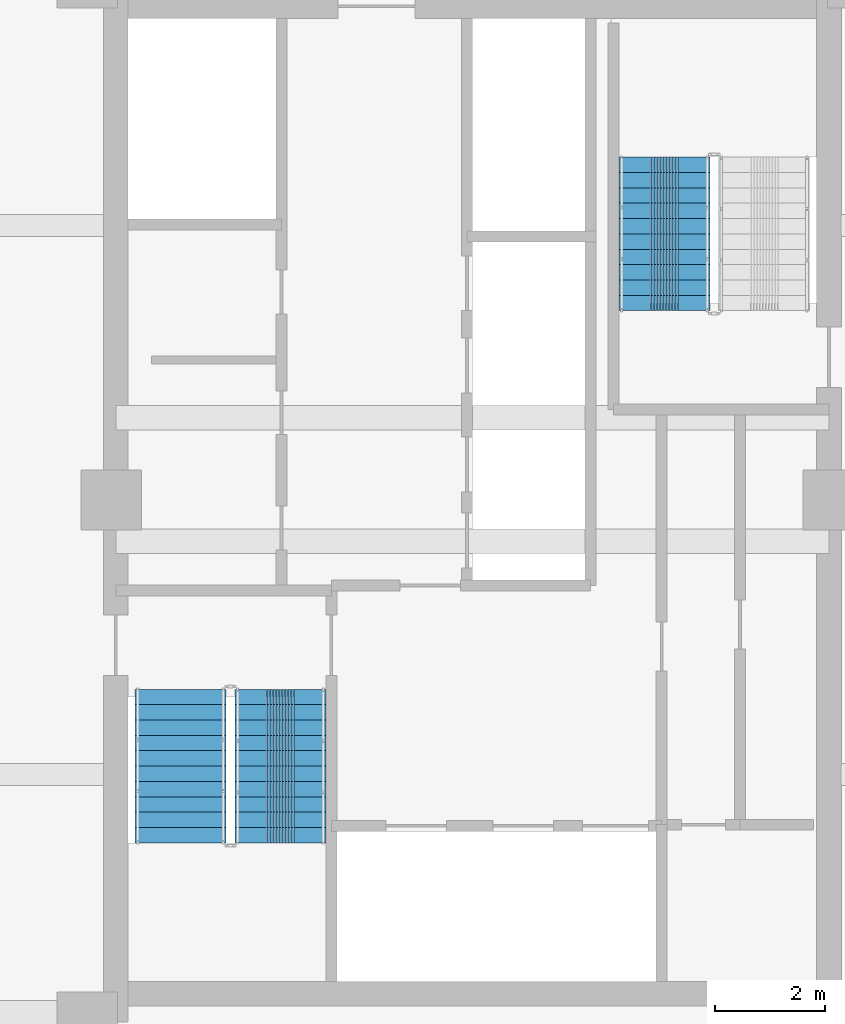
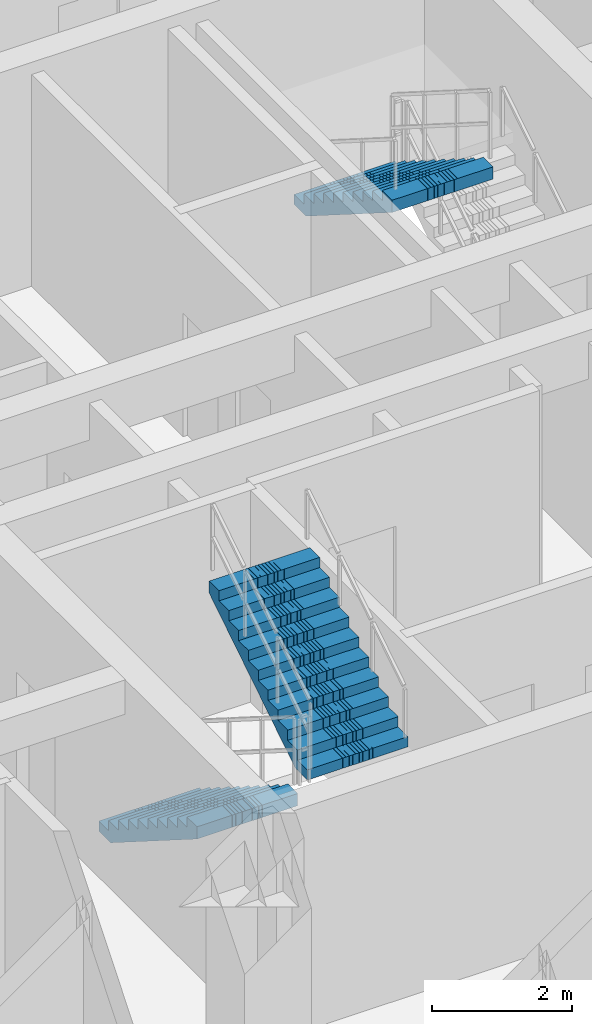
# One storey, part 9 of 15: 3 stair flights, 2 elements without a shape of their own.
"""IFC4 building model written with IfcOpenShell, lengths in metres."""

import ifcopenshell
import ifcopenshell.guid

model = None  # the IFC model being written
_history = None  # IfcOwnerHistory: only IFC2X3 demands one
_inside = {}  # id of a spatial element -> (the spatial element, [elements in it])
_under = {}  # id of a project, library or spatial element -> (it, [spatial elements below it])
_declared = {}  # id of a project -> (the project, [libraries it declares])
_typed = {}  # id of a type object -> (the type object, [elements of that type])
_made_of = {}  # id of a material, layer set ... -> (it, [elements and type objects made of it])


def new_model(schema):
    """Start an empty IFC model of exactly this schema.

    Asked for "IFC4X3", IfcOpenShell would pick the latest addendum, in which some entities
    have other attributes; the version numbers below select the first issue.
    IFC2X3 requires an IfcOwnerHistory on every rooted entity: one is made here for all.
    """
    global model, _history
    if schema == "IFC4X3":
        model = ifcopenshell.file(schema_version=(4, 3, 0, 0))
    else:
        model = ifcopenshell.file(schema=schema)
    _inside.clear()
    _under.clear()
    _declared.clear()
    _typed.clear()
    _made_of.clear()
    _history = None
    if model.schema == "IFC2X3":
        org = make("IfcOrganization", Name="unknown")
        user = make(
            "IfcPersonAndOrganization",
            ThePerson=make("IfcPerson", FamilyName="unknown"),
            TheOrganization=org,
        )
        app = make(
            "IfcApplication",
            ApplicationDeveloper=org,
            Version="unknown",
            ApplicationFullName="unknown",
            ApplicationIdentifier="unknown",
        )
        _history = make(
            "IfcOwnerHistory",
            OwningUser=user,
            OwningApplication=app,
            ChangeAction="ADDED",
            CreationDate=0,
        )
    return model


def make(cls, **values):
    """One entity of the class cls with the attributes given. An attribute that is None is left unset."""
    return model.create_entity(
        cls, **{name: value for name, value in values.items() if value is not None}
    )


def rooted(cls, **values):
    """An entity with a GlobalId (a new one), such as an element, a storey or a relation."""
    return make(cls, GlobalId=ifcopenshell.guid.new(), OwnerHistory=_history, **values)


def si_unit(unit_type, name, prefix=None):
    """IfcSIUnit, for example si_unit("LENGTHUNIT", "METRE", prefix="MILLI")."""
    return make("IfcSIUnit", UnitType=unit_type, Prefix=prefix, Name=name)


def assignment(units):
    """IfcUnitAssignment: the units of a project."""
    return None if units is None else make("IfcUnitAssignment", Units=units)


def point(xyz):
    """IfcCartesianPoint."""
    return None if xyz is None else make("IfcCartesianPoint", Coordinates=xyz)


def direction(xyz):
    """IfcDirection."""
    return None if xyz is None else make("IfcDirection", DirectionRatios=xyz)


def frame(location, z_axis=None, x_axis=None):
    """IfcAxis2Placement3D, a coordinate frame: its origin and axes. An axis left out is left unset."""
    return make(
        "IfcAxis2Placement3D",
        Location=point(location),
        Axis=direction(z_axis),
        RefDirection=direction(x_axis),
    )


def origin():
    """The frame at (0, 0, 0) with its axes left unset."""
    return frame((0.0, 0.0, 0.0))


def place(relative_to, where):
    """IfcLocalPlacement: puts the frame where relative to a parent placement (None: the world)."""
    return make(
        "IfcLocalPlacement", PlacementRelTo=relative_to, RelativePlacement=where
    )


def context(
    kind, dimensions, precision=None, world=None, true_north=None, identifier=None
):
    """IfcGeometricRepresentationContext, for example the 3D "Model" context."""
    return make(
        "IfcGeometricRepresentationContext",
        ContextIdentifier=identifier,
        ContextType=kind,
        CoordinateSpaceDimension=dimensions,
        Precision=precision,
        WorldCoordinateSystem=world,
        TrueNorth=true_north,
    )


def subcontext(parent, identifier, kind, view, scale=None):
    """IfcGeometricRepresentationSubContext, for example "Body" below "Model"."""
    return make(
        "IfcGeometricRepresentationSubContext",
        ContextIdentifier=identifier,
        ContextType=kind,
        ParentContext=parent,
        TargetScale=scale,
        TargetView=view,
    )


def project(units=None, contexts=None):
    """IfcProject with its units and contexts."""
    return rooted(
        "IfcProject",
        Name="project",
        RepresentationContexts=contexts,
        UnitsInContext=assignment(units),
    )


def spatial(cls, under=None, at=None, **own):
    """A site, building, storey or space (cls), placed at a placement, below another one or the project."""
    s = rooted(cls, ObjectPlacement=at, **own)
    if under is not None:
        _under.setdefault(under.id(), (under, []))[1].append(s)
    return s


def polyline(points):
    """IfcPolyline through the points."""
    return make("IfcPolyline", Points=[point(p) for p in points])


def outline(outer, holes=None, kind="AREA"):
    """IfcArbitraryClosedProfileDef: a profile drawn as a closed curve; with holes, ...WithVoids."""
    if holes is None:
        return make("IfcArbitraryClosedProfileDef", ProfileType=kind, OuterCurve=outer)
    return make(
        "IfcArbitraryProfileDefWithVoids",
        ProfileType=kind,
        OuterCurve=outer,
        InnerCurves=holes,
    )


def extrude(swept, where, along, depth):
    """IfcExtrudedAreaSolid: the profile swept, set in the frame where, extruded along a direction by depth."""
    return make(
        "IfcExtrudedAreaSolid",
        SweptArea=swept,
        Position=where,
        ExtrudedDirection=direction(along),
        Depth=depth,
    )


def shape(context_of_items, identifier, shape_type, items):
    """IfcShapeRepresentation: the items that make up one representation, for example the "Body"."""
    return make(
        "IfcShapeRepresentation",
        ContextOfItems=context_of_items,
        RepresentationIdentifier=identifier,
        RepresentationType=shape_type,
        Items=items,
    )


def material(Name=None, Category=None):
    """IfcMaterial."""
    return make("IfcMaterial", Name=Name, Category=Category)


def made_of(thing, what):
    """Note that an element or type object is made of a material, layer set ...; save() writes the relation."""
    if what is not None:
        _made_of.setdefault(what.id(), (what, []))[1].append(thing)
    return thing


def type_object(cls, material=None, **own):
    """A type object (cls), such as IfcWallType, which elements share."""
    return made_of(rooted(cls, **own), material)


def element(
    cls,
    number,
    at=None,
    inside=None,
    cuts=None,
    type_object=None,
    material=None,
    context=None,
    identifier="Body",
    shape_type=None,
    held_by="IfcProductDefinitionShape",
    body=None,
    shapes=None,
    **own,
):
    """One element of the class cls, such as IfcWall. Its Tag is "e" and its number.

    at: its placement. inside: the storey or other place that contains it. cuts: it is an
    opening in that element (IfcRelVoidsElement). A single representation is given by context,
    identifier, shape_type and body (its items); several are given by shapes. held_by: the class
    of the entity that holds the representations. save() writes the other relations.
    """
    e = rooted(cls, Tag="e%d" % number, ObjectPlacement=at, **own)
    if body is not None:
        shapes = [shape(context, identifier, shape_type, body)]
    if shapes is not None:
        e.Representation = make(held_by, Representations=shapes)
    if inside is not None:
        _inside.setdefault(inside.id(), (inside, []))[1].append(e)
    if cuts is not None:
        rooted(
            "IfcRelVoidsElement", RelatingBuildingElement=cuts, RelatedOpeningElement=e
        )
    if type_object is not None:
        _typed.setdefault(type_object.id(), (type_object, []))[1].append(e)
    return made_of(e, material)


def aggregate(whole, parts):
    """IfcRelAggregates: a whole, such as a stair, and the parts it consists of."""
    return rooted("IfcRelAggregates", RelatingObject=whole, RelatedObjects=parts)


def save(model, path):
    """Write the relations noted so far, then the file.

    IfcRelAggregates (storeys below a building ...), IfcRelContainedInSpatialStructure (elements
    in a storey), IfcRelDefinesByType, IfcRelAssociatesMaterial and IfcRelDeclares: one each for
    every whole, place, type object, material and project.
    """
    for whole, parts in _under.values():
        aggregate(whole, parts)
    for where, things in _inside.values():
        rooted(
            "IfcRelContainedInSpatialStructure",
            RelatedElements=things,
            RelatingStructure=where,
        )
    for kind, things in _typed.values():
        rooted("IfcRelDefinesByType", RelatedObjects=things, RelatingType=kind)
    for what, things in _made_of.values():
        rooted("IfcRelAssociatesMaterial", RelatedObjects=things, RelatingMaterial=what)
    for by, libraries in _declared.values():
        rooted("IfcRelDeclares", RelatingContext=by, RelatedDefinitions=libraries)
    model.write(path)


model = new_model("IFC4")

# Units and contexts
model_context = context("Model", 3, precision=1e-05, world=origin(), true_north=direction((0.0, 1.0)))
body_context = subcontext(model_context, "Body", "Model", "MODEL_VIEW")
ifc_project = project(units=[si_unit("LENGTHUNIT", "METRE"), si_unit("AREAUNIT", "SQUARE_METRE"), si_unit("VOLUMEUNIT", "CUBIC_METRE"), si_unit("PLANEANGLEUNIT", "RADIAN"), si_unit("MASSUNIT", "GRAM", prefix="KILO")], contexts=[model_context])

# Site, building, storey
site_placement = place(None, origin())
site = spatial("IfcSite", under=ifc_project, at=site_placement, CompositionType="ELEMENT")
building_placement = place(site_placement, origin())
building = spatial("IfcBuilding", under=site, at=building_placement, Name="Saelheon Loggia Tower", CompositionType="ELEMENT")
storey_placement = place(building_placement, frame((0.0, 0.0, 159.10009765625)))
storey = spatial("IfcBuildingStorey", under=building, at=storey_placement, Name="L50", CompositionType="ELEMENT", Elevation=159.10009765625)

# Stair, stair flights
ifc_material = material(Name="Concrete C40/50", Category="concrete")
stair_type = type_object("IfcStairType", Name="Stair_Escape_Core", PredefinedType="HALF_TURN_STAIR", material=ifc_material)
stair_1_placement = place(storey_placement, origin())
stair_1 = element("IfcStair", 1, at=stair_1_placement, inside=storey, type_object=stair_type, Name="L50 Special Escape Stair ST1", PredefinedType="HALF_TURN_STAIR")
stair_flight_type = type_object("IfcStairFlightType", Name="StairFlight_Tower_1660", PredefinedType="STRAIGHT", material=ifc_material)
stair_flight_1_placement = place(storey_placement, frame((32.679931640625, 23.550048828125, 0.0), z_axis=(0.0, 0.0, 1.0), x_axis=(0.0, -1.0, 0.0)))
stair_flight_1 = element("IfcStairFlight", 2, at=stair_flight_1_placement, type_object=stair_flight_type, Name="ST1 flight 1", NumberOfRisers=11, NumberOfTreads=10, PredefinedType="STRAIGHT", RiserHeight=0.177272727, TreadLength=0.28, context=body_context, shape_type="SweptSolid", body=[
    extrude(outline(polyline([(0.0, 0.0), (0.0, 0.17724609375), (0.280029296875, 0.17724609375), (0.280029296875, 0.3544921875), (0.56005859375, 0.3544921875), (0.56005859375, 0.53173828125), (0.840087890625, 0.53173828125), (0.840087890625, 0.708984375), (1.1201171875, 0.708984375), (1.1201171875, 0.886474609375), (1.39990234375, 0.886474609375), (1.39990234375, 1.063720703125), (1.679931640625, 1.063720703125), (1.679931640625, 1.240966796875), (1.9599609375, 1.240966796875), (1.9599609375, 1.418212890625), (2.239990234375, 1.418212890625), (2.239990234375, 1.595458984375), (2.52001953125, 1.595458984375), (2.52001953125, 1.772705078125), (2.800048828125, 1.772705078125), (2.800048828125, 1.949951171875), (2.800048828125, 1.559814453125), (0.33642578125, 0.0), (0.0, 0.0)])), frame((0.0, -0.2490234375, 0.0), z_axis=(0.0, -1.0, 0.0), x_axis=(1.0, 0.0, 0.0)), (0.0, 0.0, 1.0), 0.5810546875),
    extrude(outline(polyline([(0.0, 0.0), (0.0, 0.17724609375), (0.280029296875, 0.17724609375), (0.280029296875, 0.3544921875), (0.56005859375, 0.3544921875), (0.56005859375, 0.53173828125), (0.840087890625, 0.53173828125), (0.840087890625, 0.708984375), (1.1201171875, 0.708984375), (1.1201171875, 0.886474609375), (1.39990234375, 0.886474609375), (1.39990234375, 1.063720703125), (1.679931640625, 1.063720703125), (1.679931640625, 1.240966796875), (1.9599609375, 1.240966796875), (1.9599609375, 1.418212890625), (2.239990234375, 1.418212890625), (2.239990234375, 1.595458984375), (2.52001953125, 1.595458984375), (2.52001953125, 1.772705078125), (2.800048828125, 1.772705078125), (2.800048828125, 1.949951171875), (2.800048828125, 1.559814453125), (0.33642578125, 0.0), (0.0, 0.0)])), frame((0.0, -0.194091796875, 0.0), z_axis=(0.0, -1.0, 0.0), x_axis=(1.0, 0.0, 0.0)), (0.0, 0.0, 1.0), 0.0498046875),
    extrude(outline(polyline([(0.0, 0.0), (0.0, 0.17724609375), (0.280029296875, 0.17724609375), (0.280029296875, 0.3544921875), (0.56005859375, 0.3544921875), (0.56005859375, 0.53173828125), (0.840087890625, 0.53173828125), (0.840087890625, 0.708984375), (1.1201171875, 0.708984375), (1.1201171875, 0.886474609375), (1.39990234375, 0.886474609375), (1.39990234375, 1.063720703125), (1.679931640625, 1.063720703125), (1.679931640625, 1.240966796875), (1.9599609375, 1.240966796875), (1.9599609375, 1.418212890625), (2.239990234375, 1.418212890625), (2.239990234375, 1.595458984375), (2.52001953125, 1.595458984375), (2.52001953125, 1.772705078125), (2.800048828125, 1.772705078125), (2.800048828125, 1.949951171875), (2.800048828125, 1.559814453125), (0.33642578125, 0.0), (0.0, 0.0)])), frame((0.0, -0.139404296875, 0.0), z_axis=(0.0, -1.0, 0.0), x_axis=(1.0, 0.0, 0.0)), (0.0, 0.0, 1.0), 0.0498046875),
    extrude(outline(polyline([(0.0, 0.0), (0.0, 0.17724609375), (0.280029296875, 0.17724609375), (0.280029296875, 0.3544921875), (0.56005859375, 0.3544921875), (0.56005859375, 0.53173828125), (0.840087890625, 0.53173828125), (0.840087890625, 0.708984375), (1.1201171875, 0.708984375), (1.1201171875, 0.886474609375), (1.39990234375, 0.886474609375), (1.39990234375, 1.063720703125), (1.679931640625, 1.063720703125), (1.679931640625, 1.240966796875), (1.9599609375, 1.240966796875), (1.9599609375, 1.418212890625), (2.239990234375, 1.418212890625), (2.239990234375, 1.595458984375), (2.52001953125, 1.595458984375), (2.52001953125, 1.772705078125), (2.800048828125, 1.772705078125), (2.800048828125, 1.949951171875), (2.800048828125, 1.559814453125), (0.33642578125, 0.0), (0.0, 0.0)])), frame((0.0, -0.084716796875, 0.0), z_axis=(0.0, -1.0, 0.0), x_axis=(1.0, 0.0, 0.0)), (0.0, 0.0, 1.0), 0.0498046875),
    extrude(outline(polyline([(0.0, 0.0), (0.0, 0.17724609375), (0.280029296875, 0.17724609375), (0.280029296875, 0.3544921875), (0.56005859375, 0.3544921875), (0.56005859375, 0.53173828125), (0.840087890625, 0.53173828125), (0.840087890625, 0.708984375), (1.1201171875, 0.708984375), (1.1201171875, 0.886474609375), (1.39990234375, 0.886474609375), (1.39990234375, 1.063720703125), (1.679931640625, 1.063720703125), (1.679931640625, 1.240966796875), (1.9599609375, 1.240966796875), (1.9599609375, 1.418212890625), (2.239990234375, 1.418212890625), (2.239990234375, 1.595458984375), (2.52001953125, 1.595458984375), (2.52001953125, 1.772705078125), (2.800048828125, 1.772705078125), (2.800048828125, 1.949951171875), (2.800048828125, 1.559814453125), (0.33642578125, 0.0), (0.0, 0.0)])), frame((0.0, -0.02978515625, 0.0), z_axis=(0.0, -1.0, 0.0), x_axis=(1.0, 0.0, 0.0)), (0.0, 0.0, 1.0), 0.0498046875),
    extrude(outline(polyline([(0.0, 0.0), (0.0, 0.17724609375), (0.280029296875, 0.17724609375), (0.280029296875, 0.3544921875), (0.56005859375, 0.3544921875), (0.56005859375, 0.53173828125), (0.840087890625, 0.53173828125), (0.840087890625, 0.708984375), (1.1201171875, 0.708984375), (1.1201171875, 0.886474609375), (1.39990234375, 0.886474609375), (1.39990234375, 1.063720703125), (1.679931640625, 1.063720703125), (1.679931640625, 1.240966796875), (1.9599609375, 1.240966796875), (1.9599609375, 1.418212890625), (2.239990234375, 1.418212890625), (2.239990234375, 1.595458984375), (2.52001953125, 1.595458984375), (2.52001953125, 1.772705078125), (2.800048828125, 1.772705078125), (2.800048828125, 1.949951171875), (2.800048828125, 1.559814453125), (0.33642578125, 0.0), (0.0, 0.0)])), frame((0.0, 0.02490234375, 0.0), z_axis=(0.0, -1.0, 0.0), x_axis=(1.0, 0.0, 0.0)), (0.0, 0.0, 1.0), 0.0498046875),
    extrude(outline(polyline([(0.0, 0.0), (0.0, 0.17724609375), (0.280029296875, 0.17724609375), (0.280029296875, 0.3544921875), (0.56005859375, 0.3544921875), (0.56005859375, 0.53173828125), (0.840087890625, 0.53173828125), (0.840087890625, 0.708984375), (1.1201171875, 0.708984375), (1.1201171875, 0.886474609375), (1.39990234375, 0.886474609375), (1.39990234375, 1.063720703125), (1.679931640625, 1.063720703125), (1.679931640625, 1.240966796875), (1.9599609375, 1.240966796875), (1.9599609375, 1.418212890625), (2.239990234375, 1.418212890625), (2.239990234375, 1.595458984375), (2.52001953125, 1.595458984375), (2.52001953125, 1.772705078125), (2.800048828125, 1.772705078125), (2.800048828125, 1.949951171875), (2.800048828125, 1.559814453125), (0.33642578125, 0.0), (0.0, 0.0)])), frame((0.0, 0.07958984375, 0.0), z_axis=(0.0, -1.0, 0.0), x_axis=(1.0, 0.0, 0.0)), (0.0, 0.0, 1.0), 0.0498046875),
    extrude(outline(polyline([(0.0, 0.0), (0.0, 0.17724609375), (0.280029296875, 0.17724609375), (0.280029296875, 0.3544921875), (0.56005859375, 0.3544921875), (0.56005859375, 0.53173828125), (0.840087890625, 0.53173828125), (0.840087890625, 0.708984375), (1.1201171875, 0.708984375), (1.1201171875, 0.886474609375), (1.39990234375, 0.886474609375), (1.39990234375, 1.063720703125), (1.679931640625, 1.063720703125), (1.679931640625, 1.240966796875), (1.9599609375, 1.240966796875), (1.9599609375, 1.418212890625), (2.239990234375, 1.418212890625), (2.239990234375, 1.595458984375), (2.52001953125, 1.595458984375), (2.52001953125, 1.772705078125), (2.800048828125, 1.772705078125), (2.800048828125, 1.949951171875), (2.800048828125, 1.559814453125), (0.33642578125, 0.0), (0.0, 0.0)])), frame((0.0, 0.134521484375, 0.0), z_axis=(0.0, -1.0, 0.0), x_axis=(1.0, 0.0, 0.0)), (0.0, 0.0, 1.0), 0.0498046875),
    extrude(outline(polyline([(0.0, 0.0), (0.0, 0.17724609375), (0.280029296875, 0.17724609375), (0.280029296875, 0.3544921875), (0.56005859375, 0.3544921875), (0.56005859375, 0.53173828125), (0.840087890625, 0.53173828125), (0.840087890625, 0.708984375), (1.1201171875, 0.708984375), (1.1201171875, 0.886474609375), (1.39990234375, 0.886474609375), (1.39990234375, 1.063720703125), (1.679931640625, 1.063720703125), (1.679931640625, 1.240966796875), (1.9599609375, 1.240966796875), (1.9599609375, 1.418212890625), (2.239990234375, 1.418212890625), (2.239990234375, 1.595458984375), (2.52001953125, 1.595458984375), (2.52001953125, 1.772705078125), (2.800048828125, 1.772705078125), (2.800048828125, 1.949951171875), (2.800048828125, 1.559814453125), (0.33642578125, 0.0), (0.0, 0.0)])), frame((0.0, 0.189208984375, 0.0), z_axis=(0.0, -1.0, 0.0), x_axis=(1.0, 0.0, 0.0)), (0.0, 0.0, 1.0), 0.0498046875),
    extrude(outline(polyline([(0.0, 0.0), (0.0, 0.17724609375), (0.280029296875, 0.17724609375), (0.280029296875, 0.3544921875), (0.56005859375, 0.3544921875), (0.56005859375, 0.53173828125), (0.840087890625, 0.53173828125), (0.840087890625, 0.708984375), (1.1201171875, 0.708984375), (1.1201171875, 0.886474609375), (1.39990234375, 0.886474609375), (1.39990234375, 1.063720703125), (1.679931640625, 1.063720703125), (1.679931640625, 1.240966796875), (1.9599609375, 1.240966796875), (1.9599609375, 1.418212890625), (2.239990234375, 1.418212890625), (2.239990234375, 1.595458984375), (2.52001953125, 1.595458984375), (2.52001953125, 1.772705078125), (2.800048828125, 1.772705078125), (2.800048828125, 1.949951171875), (2.800048828125, 1.559814453125), (0.33642578125, 0.0), (0.0, 0.0)])), frame((0.0, 0.243896484375, 0.0), z_axis=(0.0, -1.0, 0.0), x_axis=(1.0, 0.0, 0.0)), (0.0, 0.0, 1.0), 0.0498046875),
    extrude(outline(polyline([(0.0, 0.0), (0.0, 0.17724609375), (0.280029296875, 0.17724609375), (0.280029296875, 0.3544921875), (0.56005859375, 0.3544921875), (0.56005859375, 0.53173828125), (0.840087890625, 0.53173828125), (0.840087890625, 0.708984375), (1.1201171875, 0.708984375), (1.1201171875, 0.886474609375), (1.39990234375, 0.886474609375), (1.39990234375, 1.063720703125), (1.679931640625, 1.063720703125), (1.679931640625, 1.240966796875), (1.9599609375, 1.240966796875), (1.9599609375, 1.418212890625), (2.239990234375, 1.418212890625), (2.239990234375, 1.595458984375), (2.52001953125, 1.595458984375), (2.52001953125, 1.772705078125), (2.800048828125, 1.772705078125), (2.800048828125, 1.949951171875), (2.800048828125, 1.559814453125), (0.33642578125, 0.0), (0.0, 0.0)])), frame((0.0, 0.830078125, 0.0), z_axis=(0.0, -1.0, 0.0), x_axis=(1.0, 0.0, 0.0)), (0.0, 0.0, 1.0), 0.5810546875),
])
stair_flight_2_placement = place(storey_placement, frame((34.5, 20.75, 1.949951171875), z_axis=(0.0, 0.0, 1.0), x_axis=(0.0, 1.0, 0.0)))
stair_flight_2 = element("IfcStairFlight", 3, at=stair_flight_2_placement, type_object=stair_flight_type, Name="ST1 flight 2", NumberOfRisers=11, NumberOfTreads=10, PredefinedType="STRAIGHT", RiserHeight=0.177272727, TreadLength=0.28, context=body_context, shape_type="SweptSolid", body=[
    extrude(outline(polyline([(0.0, 0.0), (0.0, 0.17724609375), (0.280029296875, 0.17724609375), (0.280029296875, 0.3544921875), (0.56005859375, 0.3544921875), (0.56005859375, 0.53173828125), (0.840087890625, 0.53173828125), (0.840087890625, 0.708984375), (1.1201171875, 0.708984375), (1.1201171875, 0.886474609375), (1.39990234375, 0.886474609375), (1.39990234375, 1.063720703125), (1.679931640625, 1.063720703125), (1.679931640625, 1.240966796875), (1.9599609375, 1.240966796875), (1.9599609375, 1.418212890625), (2.239990234375, 1.418212890625), (2.239990234375, 1.595458984375), (2.52001953125, 1.595458984375), (2.52001953125, 1.772705078125), (2.800048828125, 1.772705078125), (2.800048828125, 1.949951171875), (2.800048828125, 1.559814453125), (0.33642578125, 0.0), (0.0, 0.0)])), frame((0.0, -0.2490234375, 0.0), z_axis=(0.0, -1.0, 0.0), x_axis=(1.0, 0.0, 0.0)), (0.0, 0.0, 1.0), 0.5810546875),
    extrude(outline(polyline([(0.0, 0.0), (0.0, 0.17724609375), (0.280029296875, 0.17724609375), (0.280029296875, 0.3544921875), (0.56005859375, 0.3544921875), (0.56005859375, 0.53173828125), (0.840087890625, 0.53173828125), (0.840087890625, 0.708984375), (1.1201171875, 0.708984375), (1.1201171875, 0.886474609375), (1.39990234375, 0.886474609375), (1.39990234375, 1.063720703125), (1.679931640625, 1.063720703125), (1.679931640625, 1.240966796875), (1.9599609375, 1.240966796875), (1.9599609375, 1.418212890625), (2.239990234375, 1.418212890625), (2.239990234375, 1.595458984375), (2.52001953125, 1.595458984375), (2.52001953125, 1.772705078125), (2.800048828125, 1.772705078125), (2.800048828125, 1.949951171875), (2.800048828125, 1.559814453125), (0.33642578125, 0.0), (0.0, 0.0)])), frame((0.0, -0.194091796875, 0.0), z_axis=(0.0, -1.0, 0.0), x_axis=(1.0, 0.0, 0.0)), (0.0, 0.0, 1.0), 0.0498046875),
    extrude(outline(polyline([(0.0, 0.0), (0.0, 0.17724609375), (0.280029296875, 0.17724609375), (0.280029296875, 0.3544921875), (0.56005859375, 0.3544921875), (0.56005859375, 0.53173828125), (0.840087890625, 0.53173828125), (0.840087890625, 0.708984375), (1.1201171875, 0.708984375), (1.1201171875, 0.886474609375), (1.39990234375, 0.886474609375), (1.39990234375, 1.063720703125), (1.679931640625, 1.063720703125), (1.679931640625, 1.240966796875), (1.9599609375, 1.240966796875), (1.9599609375, 1.418212890625), (2.239990234375, 1.418212890625), (2.239990234375, 1.595458984375), (2.52001953125, 1.595458984375), (2.52001953125, 1.772705078125), (2.800048828125, 1.772705078125), (2.800048828125, 1.949951171875), (2.800048828125, 1.559814453125), (0.33642578125, 0.0), (0.0, 0.0)])), frame((0.0, -0.139404296875, 0.0), z_axis=(0.0, -1.0, 0.0), x_axis=(1.0, 0.0, 0.0)), (0.0, 0.0, 1.0), 0.0498046875),
    extrude(outline(polyline([(0.0, 0.0), (0.0, 0.17724609375), (0.280029296875, 0.17724609375), (0.280029296875, 0.3544921875), (0.56005859375, 0.3544921875), (0.56005859375, 0.53173828125), (0.840087890625, 0.53173828125), (0.840087890625, 0.708984375), (1.1201171875, 0.708984375), (1.1201171875, 0.886474609375), (1.39990234375, 0.886474609375), (1.39990234375, 1.063720703125), (1.679931640625, 1.063720703125), (1.679931640625, 1.240966796875), (1.9599609375, 1.240966796875), (1.9599609375, 1.418212890625), (2.239990234375, 1.418212890625), (2.239990234375, 1.595458984375), (2.52001953125, 1.595458984375), (2.52001953125, 1.772705078125), (2.800048828125, 1.772705078125), (2.800048828125, 1.949951171875), (2.800048828125, 1.559814453125), (0.33642578125, 0.0), (0.0, 0.0)])), frame((0.0, -0.084716796875, 0.0), z_axis=(0.0, -1.0, 0.0), x_axis=(1.0, 0.0, 0.0)), (0.0, 0.0, 1.0), 0.0498046875),
    extrude(outline(polyline([(0.0, 0.0), (0.0, 0.17724609375), (0.280029296875, 0.17724609375), (0.280029296875, 0.3544921875), (0.56005859375, 0.3544921875), (0.56005859375, 0.53173828125), (0.840087890625, 0.53173828125), (0.840087890625, 0.708984375), (1.1201171875, 0.708984375), (1.1201171875, 0.886474609375), (1.39990234375, 0.886474609375), (1.39990234375, 1.063720703125), (1.679931640625, 1.063720703125), (1.679931640625, 1.240966796875), (1.9599609375, 1.240966796875), (1.9599609375, 1.418212890625), (2.239990234375, 1.418212890625), (2.239990234375, 1.595458984375), (2.52001953125, 1.595458984375), (2.52001953125, 1.772705078125), (2.800048828125, 1.772705078125), (2.800048828125, 1.949951171875), (2.800048828125, 1.559814453125), (0.33642578125, 0.0), (0.0, 0.0)])), frame((0.0, -0.02978515625, 0.0), z_axis=(0.0, -1.0, 0.0), x_axis=(1.0, 0.0, 0.0)), (0.0, 0.0, 1.0), 0.0498046875),
    extrude(outline(polyline([(0.0, 0.0), (0.0, 0.17724609375), (0.280029296875, 0.17724609375), (0.280029296875, 0.3544921875), (0.56005859375, 0.3544921875), (0.56005859375, 0.53173828125), (0.840087890625, 0.53173828125), (0.840087890625, 0.708984375), (1.1201171875, 0.708984375), (1.1201171875, 0.886474609375), (1.39990234375, 0.886474609375), (1.39990234375, 1.063720703125), (1.679931640625, 1.063720703125), (1.679931640625, 1.240966796875), (1.9599609375, 1.240966796875), (1.9599609375, 1.418212890625), (2.239990234375, 1.418212890625), (2.239990234375, 1.595458984375), (2.52001953125, 1.595458984375), (2.52001953125, 1.772705078125), (2.800048828125, 1.772705078125), (2.800048828125, 1.949951171875), (2.800048828125, 1.559814453125), (0.33642578125, 0.0), (0.0, 0.0)])), frame((0.0, 0.02490234375, 0.0), z_axis=(0.0, -1.0, 0.0), x_axis=(1.0, 0.0, 0.0)), (0.0, 0.0, 1.0), 0.0498046875),
    extrude(outline(polyline([(0.0, 0.0), (0.0, 0.17724609375), (0.280029296875, 0.17724609375), (0.280029296875, 0.3544921875), (0.56005859375, 0.3544921875), (0.56005859375, 0.53173828125), (0.840087890625, 0.53173828125), (0.840087890625, 0.708984375), (1.1201171875, 0.708984375), (1.1201171875, 0.886474609375), (1.39990234375, 0.886474609375), (1.39990234375, 1.063720703125), (1.679931640625, 1.063720703125), (1.679931640625, 1.240966796875), (1.9599609375, 1.240966796875), (1.9599609375, 1.418212890625), (2.239990234375, 1.418212890625), (2.239990234375, 1.595458984375), (2.52001953125, 1.595458984375), (2.52001953125, 1.772705078125), (2.800048828125, 1.772705078125), (2.800048828125, 1.949951171875), (2.800048828125, 1.559814453125), (0.33642578125, 0.0), (0.0, 0.0)])), frame((0.0, 0.07958984375, 0.0), z_axis=(0.0, -1.0, 0.0), x_axis=(1.0, 0.0, 0.0)), (0.0, 0.0, 1.0), 0.0498046875),
    extrude(outline(polyline([(0.0, 0.0), (0.0, 0.17724609375), (0.280029296875, 0.17724609375), (0.280029296875, 0.3544921875), (0.56005859375, 0.3544921875), (0.56005859375, 0.53173828125), (0.840087890625, 0.53173828125), (0.840087890625, 0.708984375), (1.1201171875, 0.708984375), (1.1201171875, 0.886474609375), (1.39990234375, 0.886474609375), (1.39990234375, 1.063720703125), (1.679931640625, 1.063720703125), (1.679931640625, 1.240966796875), (1.9599609375, 1.240966796875), (1.9599609375, 1.418212890625), (2.239990234375, 1.418212890625), (2.239990234375, 1.595458984375), (2.52001953125, 1.595458984375), (2.52001953125, 1.772705078125), (2.800048828125, 1.772705078125), (2.800048828125, 1.949951171875), (2.800048828125, 1.559814453125), (0.33642578125, 0.0), (0.0, 0.0)])), frame((0.0, 0.134521484375, 0.0), z_axis=(0.0, -1.0, 0.0), x_axis=(1.0, 0.0, 0.0)), (0.0, 0.0, 1.0), 0.0498046875),
    extrude(outline(polyline([(0.0, 0.0), (0.0, 0.17724609375), (0.280029296875, 0.17724609375), (0.280029296875, 0.3544921875), (0.56005859375, 0.3544921875), (0.56005859375, 0.53173828125), (0.840087890625, 0.53173828125), (0.840087890625, 0.708984375), (1.1201171875, 0.708984375), (1.1201171875, 0.886474609375), (1.39990234375, 0.886474609375), (1.39990234375, 1.063720703125), (1.679931640625, 1.063720703125), (1.679931640625, 1.240966796875), (1.9599609375, 1.240966796875), (1.9599609375, 1.418212890625), (2.239990234375, 1.418212890625), (2.239990234375, 1.595458984375), (2.52001953125, 1.595458984375), (2.52001953125, 1.772705078125), (2.800048828125, 1.772705078125), (2.800048828125, 1.949951171875), (2.800048828125, 1.559814453125), (0.33642578125, 0.0), (0.0, 0.0)])), frame((0.0, 0.189208984375, 0.0), z_axis=(0.0, -1.0, 0.0), x_axis=(1.0, 0.0, 0.0)), (0.0, 0.0, 1.0), 0.0498046875),
    extrude(outline(polyline([(0.0, 0.0), (0.0, 0.17724609375), (0.280029296875, 0.17724609375), (0.280029296875, 0.3544921875), (0.56005859375, 0.3544921875), (0.56005859375, 0.53173828125), (0.840087890625, 0.53173828125), (0.840087890625, 0.708984375), (1.1201171875, 0.708984375), (1.1201171875, 0.886474609375), (1.39990234375, 0.886474609375), (1.39990234375, 1.063720703125), (1.679931640625, 1.063720703125), (1.679931640625, 1.240966796875), (1.9599609375, 1.240966796875), (1.9599609375, 1.418212890625), (2.239990234375, 1.418212890625), (2.239990234375, 1.595458984375), (2.52001953125, 1.595458984375), (2.52001953125, 1.772705078125), (2.800048828125, 1.772705078125), (2.800048828125, 1.949951171875), (2.800048828125, 1.559814453125), (0.33642578125, 0.0), (0.0, 0.0)])), frame((0.0, 0.243896484375, 0.0), z_axis=(0.0, -1.0, 0.0), x_axis=(1.0, 0.0, 0.0)), (0.0, 0.0, 1.0), 0.0498046875),
    extrude(outline(polyline([(0.0, 0.0), (0.0, 0.17724609375), (0.280029296875, 0.17724609375), (0.280029296875, 0.3544921875), (0.56005859375, 0.3544921875), (0.56005859375, 0.53173828125), (0.840087890625, 0.53173828125), (0.840087890625, 0.708984375), (1.1201171875, 0.708984375), (1.1201171875, 0.886474609375), (1.39990234375, 0.886474609375), (1.39990234375, 1.063720703125), (1.679931640625, 1.063720703125), (1.679931640625, 1.240966796875), (1.9599609375, 1.240966796875), (1.9599609375, 1.418212890625), (2.239990234375, 1.418212890625), (2.239990234375, 1.595458984375), (2.52001953125, 1.595458984375), (2.52001953125, 1.772705078125), (2.800048828125, 1.772705078125), (2.800048828125, 1.949951171875), (2.800048828125, 1.559814453125), (0.33642578125, 0.0), (0.0, 0.0)])), frame((0.0, 0.830078125, 0.0), z_axis=(0.0, -1.0, 0.0), x_axis=(1.0, 0.0, 0.0)), (0.0, 0.0, 1.0), 0.5810546875),
])
aggregate(stair_1, [stair_flight_1, stair_flight_2])

# Stair, stair flight
stair_2_placement = place(storey_placement, origin())
stair_2 = element("IfcStair", 4, at=stair_2_placement, inside=storey, type_object=stair_type, Name="L50 Special Escape Stair ST2", PredefinedType="HALF_TURN_STAIR")
stair_flight_3_placement = place(storey_placement, frame((41.5, 33.25, 1.949951171875), z_axis=(0.0, 0.0, 1.0), x_axis=(0.0, -1.0, 0.0)))
stair_flight_3 = element("IfcStairFlight", 5, at=stair_flight_3_placement, type_object=stair_flight_type, Name="ST2 flight 2", NumberOfRisers=11, NumberOfTreads=10, PredefinedType="STRAIGHT", RiserHeight=0.177272727, TreadLength=0.28, context=body_context, shape_type="SweptSolid", body=[
    extrude(outline(polyline([(0.0, 0.0), (0.0, 0.17724609375), (0.280029296875, 0.17724609375), (0.280029296875, 0.3544921875), (0.56005859375, 0.3544921875), (0.56005859375, 0.53173828125), (0.840087890625, 0.53173828125), (0.840087890625, 0.708984375), (1.1201171875, 0.708984375), (1.1201171875, 0.886474609375), (1.39990234375, 0.886474609375), (1.39990234375, 1.063720703125), (1.679931640625, 1.063720703125), (1.679931640625, 1.240966796875), (1.9599609375, 1.240966796875), (1.9599609375, 1.418212890625), (2.239990234375, 1.418212890625), (2.239990234375, 1.595458984375), (2.52001953125, 1.595458984375), (2.52001953125, 1.772705078125), (2.800048828125, 1.772705078125), (2.800048828125, 1.949951171875), (2.800048828125, 1.559814453125), (0.33642578125, 0.0), (0.0, 0.0)])), frame((0.0, -0.2490234375, 0.0), z_axis=(0.0, -1.0, 0.0), x_axis=(1.0, 0.0, 0.0)), (0.0, 0.0, 1.0), 0.5810546875),
    extrude(outline(polyline([(0.0, 0.0), (0.0, 0.17724609375), (0.280029296875, 0.17724609375), (0.280029296875, 0.3544921875), (0.56005859375, 0.3544921875), (0.56005859375, 0.53173828125), (0.840087890625, 0.53173828125), (0.840087890625, 0.708984375), (1.1201171875, 0.708984375), (1.1201171875, 0.886474609375), (1.39990234375, 0.886474609375), (1.39990234375, 1.063720703125), (1.679931640625, 1.063720703125), (1.679931640625, 1.240966796875), (1.9599609375, 1.240966796875), (1.9599609375, 1.418212890625), (2.239990234375, 1.418212890625), (2.239990234375, 1.595458984375), (2.52001953125, 1.595458984375), (2.52001953125, 1.772705078125), (2.800048828125, 1.772705078125), (2.800048828125, 1.949951171875), (2.800048828125, 1.559814453125), (0.33642578125, 0.0), (0.0, 0.0)])), frame((0.0, -0.194091796875, 0.0), z_axis=(0.0, -1.0, 0.0), x_axis=(1.0, 0.0, 0.0)), (0.0, 0.0, 1.0), 0.0498046875),
    extrude(outline(polyline([(0.0, 0.0), (0.0, 0.17724609375), (0.280029296875, 0.17724609375), (0.280029296875, 0.3544921875), (0.56005859375, 0.3544921875), (0.56005859375, 0.53173828125), (0.840087890625, 0.53173828125), (0.840087890625, 0.708984375), (1.1201171875, 0.708984375), (1.1201171875, 0.886474609375), (1.39990234375, 0.886474609375), (1.39990234375, 1.063720703125), (1.679931640625, 1.063720703125), (1.679931640625, 1.240966796875), (1.9599609375, 1.240966796875), (1.9599609375, 1.418212890625), (2.239990234375, 1.418212890625), (2.239990234375, 1.595458984375), (2.52001953125, 1.595458984375), (2.52001953125, 1.772705078125), (2.800048828125, 1.772705078125), (2.800048828125, 1.949951171875), (2.800048828125, 1.559814453125), (0.33642578125, 0.0), (0.0, 0.0)])), frame((0.0, -0.139404296875, 0.0), z_axis=(0.0, -1.0, 0.0), x_axis=(1.0, 0.0, 0.0)), (0.0, 0.0, 1.0), 0.0498046875),
    extrude(outline(polyline([(0.0, 0.0), (0.0, 0.17724609375), (0.280029296875, 0.17724609375), (0.280029296875, 0.3544921875), (0.56005859375, 0.3544921875), (0.56005859375, 0.53173828125), (0.840087890625, 0.53173828125), (0.840087890625, 0.708984375), (1.1201171875, 0.708984375), (1.1201171875, 0.886474609375), (1.39990234375, 0.886474609375), (1.39990234375, 1.063720703125), (1.679931640625, 1.063720703125), (1.679931640625, 1.240966796875), (1.9599609375, 1.240966796875), (1.9599609375, 1.418212890625), (2.239990234375, 1.418212890625), (2.239990234375, 1.595458984375), (2.52001953125, 1.595458984375), (2.52001953125, 1.772705078125), (2.800048828125, 1.772705078125), (2.800048828125, 1.949951171875), (2.800048828125, 1.559814453125), (0.33642578125, 0.0), (0.0, 0.0)])), frame((0.0, -0.084716796875, 0.0), z_axis=(0.0, -1.0, 0.0), x_axis=(1.0, 0.0, 0.0)), (0.0, 0.0, 1.0), 0.0498046875),
    extrude(outline(polyline([(0.0, 0.0), (0.0, 0.17724609375), (0.280029296875, 0.17724609375), (0.280029296875, 0.3544921875), (0.56005859375, 0.3544921875), (0.56005859375, 0.53173828125), (0.840087890625, 0.53173828125), (0.840087890625, 0.708984375), (1.1201171875, 0.708984375), (1.1201171875, 0.886474609375), (1.39990234375, 0.886474609375), (1.39990234375, 1.063720703125), (1.679931640625, 1.063720703125), (1.679931640625, 1.240966796875), (1.9599609375, 1.240966796875), (1.9599609375, 1.418212890625), (2.239990234375, 1.418212890625), (2.239990234375, 1.595458984375), (2.52001953125, 1.595458984375), (2.52001953125, 1.772705078125), (2.800048828125, 1.772705078125), (2.800048828125, 1.949951171875), (2.800048828125, 1.559814453125), (0.33642578125, 0.0), (0.0, 0.0)])), frame((0.0, -0.02978515625, 0.0), z_axis=(0.0, -1.0, 0.0), x_axis=(1.0, 0.0, 0.0)), (0.0, 0.0, 1.0), 0.0498046875),
    extrude(outline(polyline([(0.0, 0.0), (0.0, 0.17724609375), (0.280029296875, 0.17724609375), (0.280029296875, 0.3544921875), (0.56005859375, 0.3544921875), (0.56005859375, 0.53173828125), (0.840087890625, 0.53173828125), (0.840087890625, 0.708984375), (1.1201171875, 0.708984375), (1.1201171875, 0.886474609375), (1.39990234375, 0.886474609375), (1.39990234375, 1.063720703125), (1.679931640625, 1.063720703125), (1.679931640625, 1.240966796875), (1.9599609375, 1.240966796875), (1.9599609375, 1.418212890625), (2.239990234375, 1.418212890625), (2.239990234375, 1.595458984375), (2.52001953125, 1.595458984375), (2.52001953125, 1.772705078125), (2.800048828125, 1.772705078125), (2.800048828125, 1.949951171875), (2.800048828125, 1.559814453125), (0.33642578125, 0.0), (0.0, 0.0)])), frame((0.0, 0.02490234375, 0.0), z_axis=(0.0, -1.0, 0.0), x_axis=(1.0, 0.0, 0.0)), (0.0, 0.0, 1.0), 0.0498046875),
    extrude(outline(polyline([(0.0, 0.0), (0.0, 0.17724609375), (0.280029296875, 0.17724609375), (0.280029296875, 0.3544921875), (0.56005859375, 0.3544921875), (0.56005859375, 0.53173828125), (0.840087890625, 0.53173828125), (0.840087890625, 0.708984375), (1.1201171875, 0.708984375), (1.1201171875, 0.886474609375), (1.39990234375, 0.886474609375), (1.39990234375, 1.063720703125), (1.679931640625, 1.063720703125), (1.679931640625, 1.240966796875), (1.9599609375, 1.240966796875), (1.9599609375, 1.418212890625), (2.239990234375, 1.418212890625), (2.239990234375, 1.595458984375), (2.52001953125, 1.595458984375), (2.52001953125, 1.772705078125), (2.800048828125, 1.772705078125), (2.800048828125, 1.949951171875), (2.800048828125, 1.559814453125), (0.33642578125, 0.0), (0.0, 0.0)])), frame((0.0, 0.07958984375, 0.0), z_axis=(0.0, -1.0, 0.0), x_axis=(1.0, 0.0, 0.0)), (0.0, 0.0, 1.0), 0.0498046875),
    extrude(outline(polyline([(0.0, 0.0), (0.0, 0.17724609375), (0.280029296875, 0.17724609375), (0.280029296875, 0.3544921875), (0.56005859375, 0.3544921875), (0.56005859375, 0.53173828125), (0.840087890625, 0.53173828125), (0.840087890625, 0.708984375), (1.1201171875, 0.708984375), (1.1201171875, 0.886474609375), (1.39990234375, 0.886474609375), (1.39990234375, 1.063720703125), (1.679931640625, 1.063720703125), (1.679931640625, 1.240966796875), (1.9599609375, 1.240966796875), (1.9599609375, 1.418212890625), (2.239990234375, 1.418212890625), (2.239990234375, 1.595458984375), (2.52001953125, 1.595458984375), (2.52001953125, 1.772705078125), (2.800048828125, 1.772705078125), (2.800048828125, 1.949951171875), (2.800048828125, 1.559814453125), (0.33642578125, 0.0), (0.0, 0.0)])), frame((0.0, 0.134521484375, 0.0), z_axis=(0.0, -1.0, 0.0), x_axis=(1.0, 0.0, 0.0)), (0.0, 0.0, 1.0), 0.0498046875),
    extrude(outline(polyline([(0.0, 0.0), (0.0, 0.17724609375), (0.280029296875, 0.17724609375), (0.280029296875, 0.3544921875), (0.56005859375, 0.3544921875), (0.56005859375, 0.53173828125), (0.840087890625, 0.53173828125), (0.840087890625, 0.708984375), (1.1201171875, 0.708984375), (1.1201171875, 0.886474609375), (1.39990234375, 0.886474609375), (1.39990234375, 1.063720703125), (1.679931640625, 1.063720703125), (1.679931640625, 1.240966796875), (1.9599609375, 1.240966796875), (1.9599609375, 1.418212890625), (2.239990234375, 1.418212890625), (2.239990234375, 1.595458984375), (2.52001953125, 1.595458984375), (2.52001953125, 1.772705078125), (2.800048828125, 1.772705078125), (2.800048828125, 1.949951171875), (2.800048828125, 1.559814453125), (0.33642578125, 0.0), (0.0, 0.0)])), frame((0.0, 0.189208984375, 0.0), z_axis=(0.0, -1.0, 0.0), x_axis=(1.0, 0.0, 0.0)), (0.0, 0.0, 1.0), 0.0498046875),
    extrude(outline(polyline([(0.0, 0.0), (0.0, 0.17724609375), (0.280029296875, 0.17724609375), (0.280029296875, 0.3544921875), (0.56005859375, 0.3544921875), (0.56005859375, 0.53173828125), (0.840087890625, 0.53173828125), (0.840087890625, 0.708984375), (1.1201171875, 0.708984375), (1.1201171875, 0.886474609375), (1.39990234375, 0.886474609375), (1.39990234375, 1.063720703125), (1.679931640625, 1.063720703125), (1.679931640625, 1.240966796875), (1.9599609375, 1.240966796875), (1.9599609375, 1.418212890625), (2.239990234375, 1.418212890625), (2.239990234375, 1.595458984375), (2.52001953125, 1.595458984375), (2.52001953125, 1.772705078125), (2.800048828125, 1.772705078125), (2.800048828125, 1.949951171875), (2.800048828125, 1.559814453125), (0.33642578125, 0.0), (0.0, 0.0)])), frame((0.0, 0.243896484375, 0.0), z_axis=(0.0, -1.0, 0.0), x_axis=(1.0, 0.0, 0.0)), (0.0, 0.0, 1.0), 0.0498046875),
    extrude(outline(polyline([(0.0, 0.0), (0.0, 0.17724609375), (0.280029296875, 0.17724609375), (0.280029296875, 0.3544921875), (0.56005859375, 0.3544921875), (0.56005859375, 0.53173828125), (0.840087890625, 0.53173828125), (0.840087890625, 0.708984375), (1.1201171875, 0.708984375), (1.1201171875, 0.886474609375), (1.39990234375, 0.886474609375), (1.39990234375, 1.063720703125), (1.679931640625, 1.063720703125), (1.679931640625, 1.240966796875), (1.9599609375, 1.240966796875), (1.9599609375, 1.418212890625), (2.239990234375, 1.418212890625), (2.239990234375, 1.595458984375), (2.52001953125, 1.595458984375), (2.52001953125, 1.772705078125), (2.800048828125, 1.772705078125), (2.800048828125, 1.949951171875), (2.800048828125, 1.559814453125), (0.33642578125, 0.0), (0.0, 0.0)])), frame((0.0, 0.830078125, 0.0), z_axis=(0.0, -1.0, 0.0), x_axis=(1.0, 0.0, 0.0)), (0.0, 0.0, 1.0), 0.5810546875),
])
aggregate(stair_2, [stair_flight_3])

save(model, "model.ifc")
